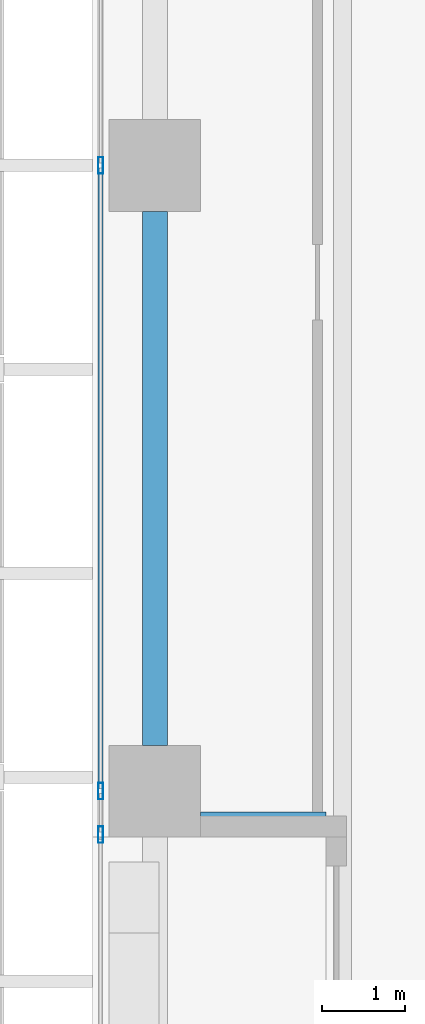
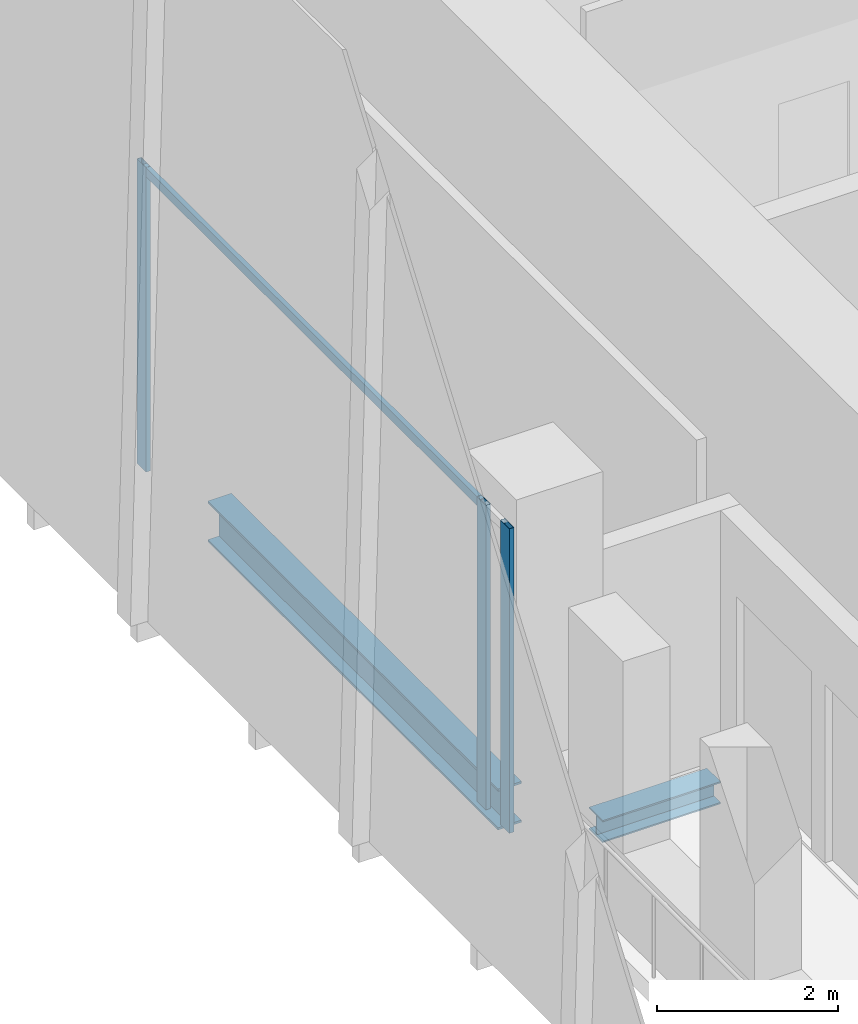
# One storey, part 7 of 34: 4 members, 2 beams, 1 element without a shape of its own.
"""IFC4 building model written with IfcOpenShell, lengths in metres."""

from ifc_helpers import new_model, si_unit, direction, frame, origin, origin_2d, place, context, subcontext, project, spatial, hollow_rectangle, i_section, extrude, source, transform, mapped, material, material_profile, profile_set, type_object, element, aggregate, save


model = new_model("IFC4")

# Units and contexts
model_context = context("Model", 3, precision=1e-05, world=origin(), true_north=direction((0.0, 1.0)))
body_context = subcontext(model_context, "Body", "Model", "MODEL_VIEW")
ifc_project = project(units=[si_unit("LENGTHUNIT", "METRE"), si_unit("AREAUNIT", "SQUARE_METRE"), si_unit("VOLUMEUNIT", "CUBIC_METRE"), si_unit("PLANEANGLEUNIT", "RADIAN"), si_unit("MASSUNIT", "GRAM", prefix="KILO")], contexts=[model_context])

# Site, building, storey
site_placement = place(None, origin())
site = spatial("IfcSite", under=ifc_project, at=site_placement, CompositionType="ELEMENT")
building_placement = place(site_placement, origin())
building = spatial("IfcBuilding", under=site, at=building_placement, Name="Khomas Fold Tower", CompositionType="ELEMENT")
storey_placement = place(building_placement, frame((0.0, 0.0, 154.300048828125)))
storey = spatial("IfcBuildingStorey", under=building, at=storey_placement, Name="L33", CompositionType="ELEMENT", Elevation=154.300048828125)

# Beams
ifc_material_1 = material(Name="Steel S355", Category="steel")
ifc_material_profile_1 = material_profile(ifc_material_1, i_section(OverallWidth=0.300048828125, OverallDepth=0.550048828125, WebThickness=0.014892578125, FlangeThickness=0.029052734375, at=origin_2d()), Name="HE 550 B")
ifc_profile_set_1 = profile_set([ifc_material_profile_1], Name="Steel S355")
beam_type_1 = type_object("IfcBeamType", Name="HE 550 B spandrel SB2", PredefinedType="SPANDREL", material=ifc_profile_set_1)
shared_shape_1 = source(origin(), body_context, "Body", "SweptSolid", [
    extrude(i_section(OverallWidth=0.300048828125, OverallDepth=0.550048828125, WebThickness=0.014892578125, FlangeThickness=0.029052734375, at=origin_2d()), origin(), (0.0, 0.0, 1.0), 6.39990234375),
])
beam_1_placement = place(storey_placement, frame((2.25, 20.050048828125, -0.574951171875), z_axis=(0.0, 1.0, 0.0), x_axis=(-1.0, 0.0, 0.0)))
element("IfcBeam", 1, at=beam_1_placement, inside=storey, type_object=beam_type_1, Name="SB2", PredefinedType="SPANDREL", context=body_context, shape_type="MappedRepresentation", body=[
    mapped(shared_shape_1, transform((0.0, 0.0, 0.0))),
])
ifc_material_2 = material(Name="Steel S355", Category="steel")
ifc_material_profile_2 = material_profile(ifc_material_2, i_section(OverallWidth=0.300048828125, OverallDepth=0.300048828125, WebThickness=0.010986328125, FlangeThickness=0.01904296875, at=origin_2d()), Name="HE 300 B")
ifc_profile_set_2 = profile_set([ifc_material_profile_2], Name="Steel S355")
beam_type_2 = type_object("IfcBeamType", Name="HE 300 B beam BB1", PredefinedType="BEAM", material=ifc_profile_set_2)
shared_shape_2 = source(origin(), body_context, "Body", "SweptSolid", [
    extrude(i_section(OverallWidth=0.300048828125, OverallDepth=0.300048828125, WebThickness=0.010986328125, FlangeThickness=0.01904296875, at=origin_2d()), origin(), (0.0, 0.0, 1.0), 1.5),
])
beam_2_placement = place(storey_placement, frame((2.800048828125, 19.10009765625, -0.449951171875), z_axis=(1.0, 0.0, 0.0), x_axis=(0.0, 1.0, 0.0)))
element("IfcBeam", 2, at=beam_2_placement, inside=storey, type_object=beam_type_2, Name="BB1", PredefinedType="BEAM", context=body_context, shape_type="MappedRepresentation", body=[
    mapped(shared_shape_2, transform((0.0, 0.0, 0.0))),
])

# Curtain wall, members
ifc_material_3 = material(Name="Aluminium framed double glazing", Category="aluminium")
curtain_wall_type = type_object("IfcCurtainWallType", Name="SK-Unitised clear-glass wall, growing floors CW1", PredefinedType="NOTDEFINED", material=ifc_material_3)
curtain_wall_placement = place(storey_placement, origin())
curtain_wall = element("IfcCurtainWall", 3, at=curtain_wall_placement, inside=storey, type_object=curtain_wall_type, Name="CW1 run L33 09-0", PredefinedType="NOTDEFINED")
ifc_material_4 = material(Name="Aluminium", Category="aluminium")
ifc_material_profile_3 = material_profile(ifc_material_4, hollow_rectangle(XDim=0.06005859375, YDim=0.1201171875, WallThickness=0.00390625, at=origin_2d()), Name="SK-Unitised clear-glass wall, growing floors transom CW1-T")
ifc_profile_set_3 = profile_set([ifc_material_profile_3], Name="Aluminium")
member_type_1 = type_object("IfcMemberType", Name="SK-Unitised clear-glass wall, growing floors transom CW1-T", PredefinedType="USERDEFINED", material=ifc_profile_set_3)
shared_shape_3 = source(origin(), body_context, "Body", "SweptSolid", [
    extrude(hollow_rectangle(XDim=0.06005859375, YDim=0.1201171875, WallThickness=0.00390625, at=origin_2d()), origin(), (0.0, 0.0, 1.0), 7.43994140625),
])
member_1_placement = place(storey_placement, frame((1.60009765625, 26.969970703125, 4.0400390625), z_axis=(0.0, -1.0, 0.0), x_axis=(1.0, 0.0, 0.0)))
member_1 = element("IfcMember", 4, at=member_1_placement, type_object=member_type_1, Name="CW1 transom 5", ObjectType="TRANSOM", PredefinedType="USERDEFINED", context=body_context, shape_type="MappedRepresentation", body=[
    mapped(shared_shape_3, transform((0.0, 0.0, 0.0))),
])
ifc_material_5 = material(Name="Aluminium", Category="aluminium")
ifc_material_profile_4 = material_profile(ifc_material_5, hollow_rectangle(XDim=0.06005859375, YDim=0.199951171875, WallThickness=0.00390625, at=origin_2d()), Name="SK-Unitised clear-glass wall, growing floors mullion CW1-M")
ifc_profile_set_4 = profile_set([ifc_material_profile_4], Name="Aluminium")
member_type_2 = type_object("IfcMemberType", Name="SK-Unitised clear-glass wall, growing floors mullion CW1-M", PredefinedType="MULLION", material=ifc_profile_set_4)
shared_shape_4 = source(origin(), body_context, "Body", "SweptSolid", [
    extrude(hollow_rectangle(XDim=0.06005859375, YDim=0.199951171875, WallThickness=0.00390625, at=origin_2d()), origin(), (0.0, 0.0, 1.0), 4.099853515625),
])
member_2_placement = place(storey_placement, frame((1.60009765625, 27.0, 0.0), z_axis=(0.0, 0.0, 1.0), x_axis=(1.0, 0.0, 0.0)))
member_2 = element("IfcMember", 5, at=member_2_placement, type_object=member_type_2, Name="CW1 mullion 5", PredefinedType="MULLION", context=body_context, shape_type="MappedRepresentation", body=[
    mapped(shared_shape_4, transform((0.0, 0.0, 0.0))),
])
member_3_placement = place(storey_placement, frame((1.60009765625, 19.5, 0.0), z_axis=(0.0, 0.0, 1.0), x_axis=(1.0, 0.0, 0.0)))
member_3 = element("IfcMember", 6, at=member_3_placement, type_object=member_type_2, Name="CW1 mullion 6", PredefinedType="MULLION", context=body_context, shape_type="MappedRepresentation", body=[
    mapped(shared_shape_4, transform((0.0, 0.0, 0.0))),
])
member_4_placement = place(storey_placement, frame((1.60009765625, 18.97998046875, 0.0), z_axis=(0.0, 0.0, 1.0), x_axis=(1.0, 0.0, 0.0)))
member_4 = element("IfcMember", 7, at=member_4_placement, type_object=member_type_2, Name="CW1 mullion 7", PredefinedType="MULLION", context=body_context, shape_type="MappedRepresentation", body=[
    mapped(shared_shape_4, transform((0.0, 0.0, 0.0))),
])
aggregate(curtain_wall, [member_2, member_3, member_4, member_1])

save(model, "model.ifc")
